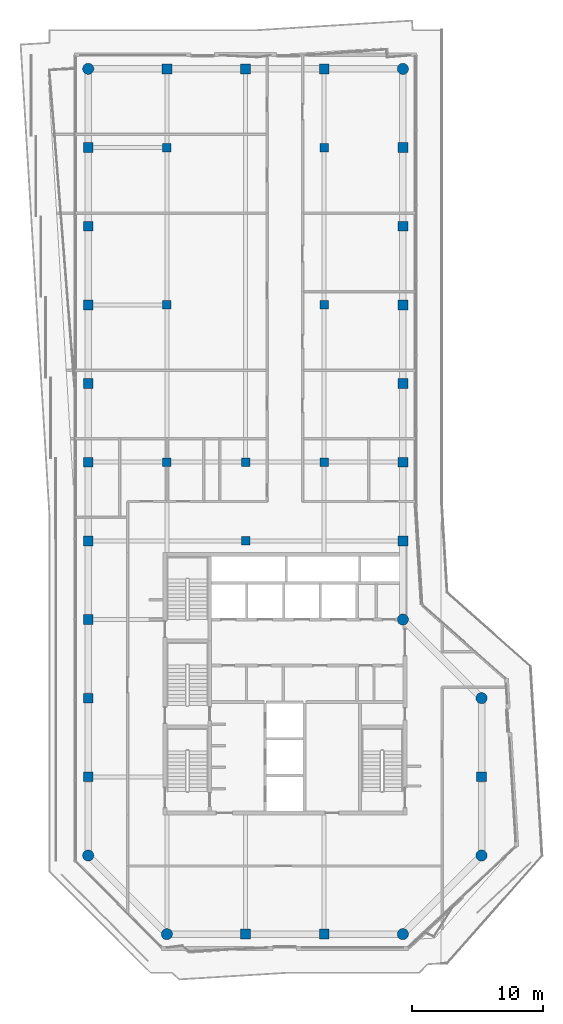
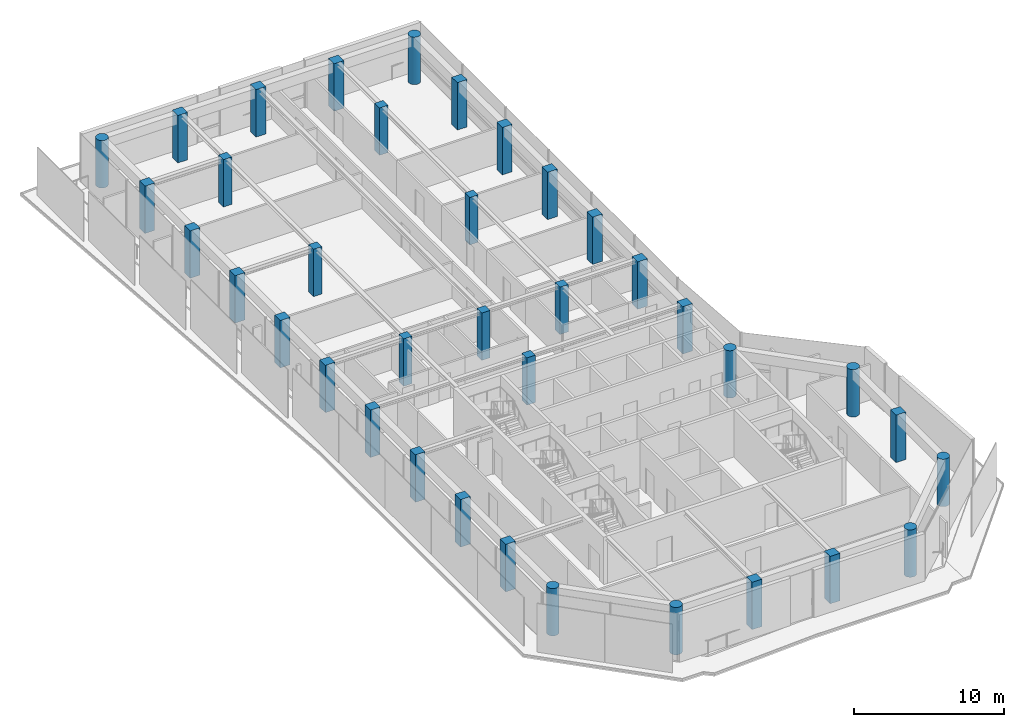
# One storey, part 1 of 21: 37 columns.
"""IFC4 building model written with IfcOpenShell, lengths in metres."""

from ifc_helpers import new_model, si_unit, direction, frame, origin, origin_2d, place, context, subcontext, project, spatial, rectangle, circle, extrude, material, material_profile, profile_set, type_object, element, save


model = new_model("IFC4")

# Units and contexts
model_context = context("Model", 3, precision=1e-05, world=origin(), true_north=direction((0.0, 1.0)))
body_context = subcontext(model_context, "Body", "Model", "MODEL_VIEW")
ifc_project = project(units=[si_unit("LENGTHUNIT", "METRE"), si_unit("AREAUNIT", "SQUARE_METRE"), si_unit("VOLUMEUNIT", "CUBIC_METRE"), si_unit("PLANEANGLEUNIT", "RADIAN"), si_unit("MASSUNIT", "GRAM", prefix="KILO")], contexts=[model_context])

# Site, building, storey
site_placement = place(None, origin())
site = spatial("IfcSite", under=ifc_project, at=site_placement, CompositionType="ELEMENT")
building_placement = place(site_placement, origin())
building = spatial("IfcBuilding", under=site, at=building_placement, Name="Welwitschia Terrace Campus", CompositionType="ELEMENT")
storey_placement = place(building_placement, frame((0.0, 0.0, 302.0)))
storey = spatial("IfcBuildingStorey", under=building, at=storey_placement, Name="L67", CompositionType="ELEMENT", Elevation=302.0)

# Columns
ifc_material_1 = material(Name="Concrete C50/60", Category="concrete")
ifc_material_profile_1 = material_profile(ifc_material_1, circle(Radius=0.425048828125, at=origin_2d()))
ifc_profile_set_1 = profile_set([ifc_material_profile_1], Name="Concrete C50/60")
column_type_1 = type_object("IfcColumnType", Name="Corner column 850 dia", PredefinedType="COLUMN", material=ifc_profile_set_1)
for number, where, z_axis, x_axis, name in (
    (1, (0.0, 2.0, 0.0), (0.0, 0.0, 1.0), (1.0, 0.0, 0.0), "Column C41"),
    (2, (0.0, 62.0, 0.0), (0.0, 0.0, 1.0), (1.0, 0.0, 0.0), "Column C41"),
    (3, (6.0, -4.0, 0.0), (0.0, 0.0, 1.0), (1.0, 0.0, 0.0), "Column C41"),
    (4, (24.0, -4.0, 0.0), (0.0, 0.0, 1.0), (1.0, 0.0, 0.0), "Column C41"),
    (5, (24.0, 20.0, 0.0), (0.0, 0.0, 1.0), (1.0, 0.0, 0.0), "Column C41"),
    (6, (24.0, 62.0, 0.0), (0.0, 0.0, 1.0), (1.0, 0.0, 0.0), "Column C41"),
    (7, (30.0, 2.0, 0.0), (0.0, 0.0, 1.0), (1.0, 0.0, 0.0), "Column C41"),
    (8, (30.0, 14.0, 0.0), (0.0, 0.0, 1.0), (1.0, 0.0, 0.0), "Column C41"),
):
    element("IfcColumn", number, at=place(storey_placement, frame(where, z_axis=z_axis, x_axis=x_axis)), inside=storey, type_object=column_type_1, Name=name, PredefinedType="COLUMN", context=body_context, shape_type="SweptSolid", body=[
        extrude(circle(Radius=0.425048828125, at=origin_2d()), origin(), (0.0, 0.0, 1.0), 3.85009765625),
    ])
ifc_material_2 = material(Name="Concrete C50/60", Category="concrete")
ifc_material_profile_2 = material_profile(ifc_material_2, rectangle(XDim=0.64990234375, YDim=0.64990234375, at=origin_2d()))
ifc_profile_set_2 = profile_set([ifc_material_profile_2], Name="Concrete C50/60")
column_type_2 = type_object("IfcColumnType", Name="Interior column 650x650", PredefinedType="COLUMN", material=ifc_profile_set_2)
for number, where, z_axis, x_axis, name in (
    (9, (6.0, 32.0, 0.0), (0.0, 0.0, 1.0), (1.0, 0.0, 0.0), "Column C43"),
    (10, (6.0, 44.0, 0.0), (0.0, 0.0, 1.0), (1.0, 0.0, 0.0), "Column C43"),
    (11, (6.0, 56.0, 0.0), (0.0, 0.0, 1.0), (1.0, 0.0, 0.0), "Column C43"),
    (12, (12.0, 26.0, 0.0), (0.0, 0.0, 1.0), (1.0, 0.0, 0.0), "Column C43"),
    (13, (12.0, 32.0, 0.0), (0.0, 0.0, 1.0), (1.0, 0.0, 0.0), "Column C43"),
    (14, (18.0, 32.0, 0.0), (0.0, 0.0, 1.0), (1.0, 0.0, 0.0), "Column C43"),
    (15, (18.0, 44.0, 0.0), (0.0, 0.0, 1.0), (1.0, 0.0, 0.0), "Column C43"),
    (16, (18.0, 56.0, 0.0), (0.0, 0.0, 1.0), (1.0, 0.0, 0.0), "Column C43"),
):
    element("IfcColumn", number, at=place(storey_placement, frame(where, z_axis=z_axis, x_axis=x_axis)), inside=storey, type_object=column_type_2, Name=name, PredefinedType="COLUMN", context=body_context, shape_type="SweptSolid", body=[
        extrude(rectangle(XDim=0.64990234375, YDim=0.64990234375, at=origin_2d()), origin(), (0.0, 0.0, 1.0), 3.85009765625),
    ])
ifc_material_3 = material(Name="Concrete C50/60", Category="concrete")
ifc_material_profile_3 = material_profile(ifc_material_3, rectangle(XDim=0.75, YDim=0.75, at=origin_2d()))
ifc_profile_set_3 = profile_set([ifc_material_profile_3], Name="Concrete C50/60")
column_type_3 = type_object("IfcColumnType", Name="Ring column 750x750", PredefinedType="COLUMN", material=ifc_profile_set_3)
for number, where, z_axis, x_axis, name in (
    (17, (0.0, 8.0, 0.0), (0.0, 0.0, 1.0), (1.0, 0.0, 0.0), "Column C42"),
    (18, (0.0, 14.0, 0.0), (0.0, 0.0, 1.0), (1.0, 0.0, 0.0), "Column C42"),
    (19, (0.0, 20.0, 0.0), (0.0, 0.0, 1.0), (1.0, 0.0, 0.0), "Column C42"),
    (20, (0.0, 26.0, 0.0), (0.0, 0.0, 1.0), (1.0, 0.0, 0.0), "Column C42"),
    (21, (0.0, 32.0, 0.0), (0.0, 0.0, 1.0), (1.0, 0.0, 0.0), "Column C42"),
    (22, (0.0, 38.0, 0.0), (0.0, 0.0, 1.0), (1.0, 0.0, 0.0), "Column C42"),
    (23, (0.0, 44.0, 0.0), (0.0, 0.0, 1.0), (1.0, 0.0, 0.0), "Column C42"),
    (24, (0.0, 50.0, 0.0), (0.0, 0.0, 1.0), (1.0, 0.0, 0.0), "Column C42"),
    (25, (0.0, 56.0, 0.0), (0.0, 0.0, 1.0), (1.0, 0.0, 0.0), "Column C42"),
    (26, (6.0, 62.0, 0.0), (0.0, 0.0, 1.0), (1.0, 0.0, 0.0), "Column C42"),
    (27, (12.0, -4.0, 0.0), (0.0, 0.0, 1.0), (1.0, 0.0, 0.0), "Column C42"),
    (28, (12.0, 62.0, 0.0), (0.0, 0.0, 1.0), (1.0, 0.0, 0.0), "Column C42"),
    (29, (18.0, -4.0, 0.0), (0.0, 0.0, 1.0), (1.0, 0.0, 0.0), "Column C42"),
    (30, (18.0, 62.0, 0.0), (0.0, 0.0, 1.0), (1.0, 0.0, 0.0), "Column C42"),
    (31, (24.0, 26.0, 0.0), (0.0, 0.0, 1.0), (1.0, 0.0, 0.0), "Column C42"),
    (32, (24.0, 32.0, 0.0), (0.0, 0.0, 1.0), (1.0, 0.0, 0.0), "Column C42"),
    (33, (24.0, 38.0, 0.0), (0.0, 0.0, 1.0), (1.0, 0.0, 0.0), "Column C42"),
    (34, (24.0, 44.0, 0.0), (0.0, 0.0, 1.0), (1.0, 0.0, 0.0), "Column C42"),
    (35, (24.0, 50.0, 0.0), (0.0, 0.0, 1.0), (1.0, 0.0, 0.0), "Column C42"),
    (36, (24.0, 56.0, 0.0), (0.0, 0.0, 1.0), (1.0, 0.0, 0.0), "Column C42"),
    (37, (30.0, 8.0, 0.0), (0.0, 0.0, 1.0), (1.0, 0.0, 0.0), "Column C42"),
):
    element("IfcColumn", number, at=place(storey_placement, frame(where, z_axis=z_axis, x_axis=x_axis)), inside=storey, type_object=column_type_3, Name=name, PredefinedType="COLUMN", context=body_context, shape_type="SweptSolid", body=[
        extrude(rectangle(XDim=0.75, YDim=0.75, at=origin_2d()), origin(), (0.0, 0.0, 1.0), 3.85009765625),
    ])

save(model, "model.ifc")
